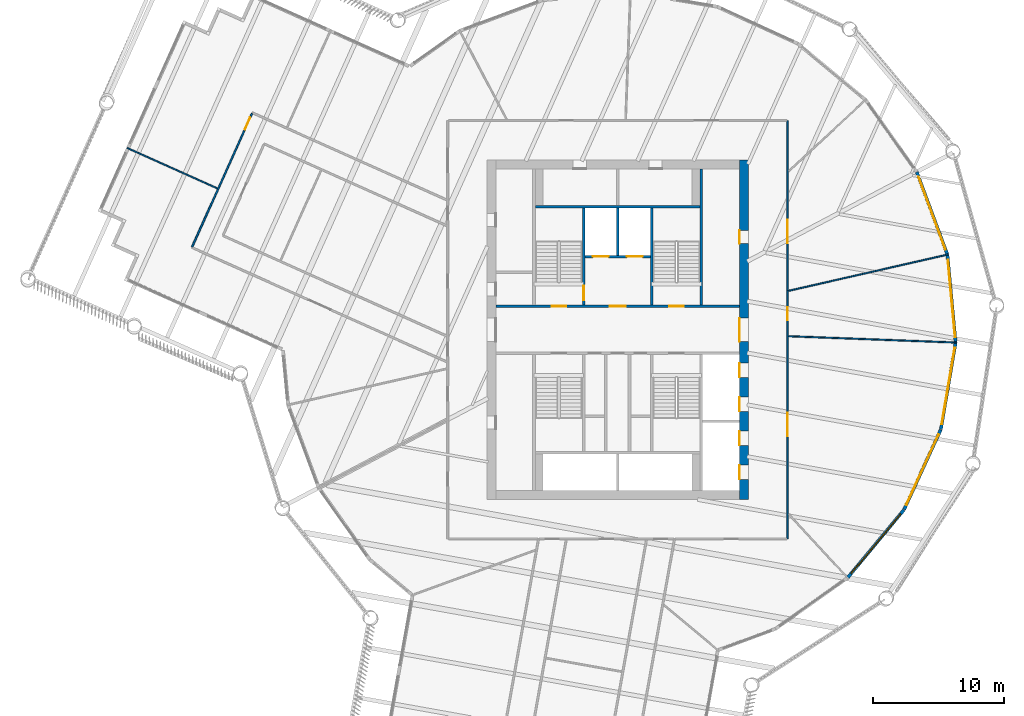
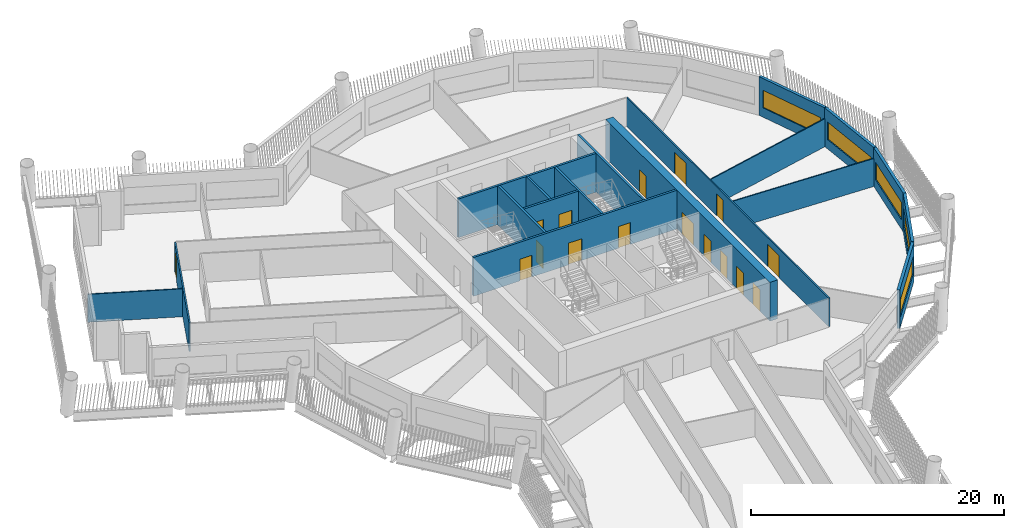
# One storey, part 5 of 14: 18 walls, 16 doors, 5 windows, 21 openings.
"""IFC4 building model written with IfcOpenShell, lengths in metres."""

from ifc_helpers import new_model, si_unit, direction, frame, frame_2d, origin, place, context, subcontext, project, spatial, rectangle, extrude, material, layer, layer_set, type_object, element, fill, save


model = new_model("IFC4")

# Units and contexts
model_context = context("Model", 3, precision=1e-05, world=origin(), true_north=direction((0.0, 1.0)))
body_context = subcontext(model_context, "Body", "Model", "MODEL_VIEW")
ifc_project = project(units=[si_unit("LENGTHUNIT", "METRE"), si_unit("AREAUNIT", "SQUARE_METRE"), si_unit("VOLUMEUNIT", "CUBIC_METRE"), si_unit("PLANEANGLEUNIT", "RADIAN"), si_unit("MASSUNIT", "GRAM", prefix="KILO")], contexts=[model_context])

# Site, building, storey
site_placement = place(None, origin())
site = spatial("IfcSite", under=ifc_project, at=site_placement, CompositionType="ELEMENT")
building_placement = place(site_placement, origin())
building = spatial("IfcBuilding", under=site, at=building_placement, Name="Tarsis Ring Headquarters", CompositionType="ELEMENT")
storey_placement = place(building_placement, frame((0.0, 0.0, 182.699951171875)))
storey = spatial("IfcBuildingStorey", under=building, at=storey_placement, Name="L42", CompositionType="ELEMENT", Elevation=182.699951171875)

# Wall, openings, doors
ifc_material_1 = material(Name="Concrete C60/75", Category="concrete")
ifc_layer_1 = layer(ifc_material_1, 0.699951171875)
ifc_layer_set_1 = layer_set([ifc_layer_1], Name="Core wall 700 C60/75")
wall_type_1 = type_object("IfcWallType", Name="Core wall 700 C60/75", PredefinedType="SHEAR", material=ifc_layer_set_1)
wall_1_placement = place(storey_placement, frame((9.64990234375, -13.0, 0.0), z_axis=(0.0, 0.0, 1.0), x_axis=(0.0, 1.0, 0.0)))
wall_1 = element("IfcWall", 1, at=wall_1_placement, inside=storey, type_object=wall_type_1, Name="Core wall OE", PredefinedType="SHEAR", context=body_context, shape_type="SweptSolid", body=[
    extrude(rectangle(XDim=26.0, YDim=0.699951171875, at=frame_2d((13.0, 0.0))), origin(), (0.0, 0.0, 1.0), 3.739990234375),
])
opening_1_placement = place(wall_1_placement, frame((1.550048828125, 0.0, 0.0)))
opening_1 = element("IfcOpeningElement", 2, at=opening_1_placement, cuts=wall_1, Name="Opening LD-MR1", PredefinedType="OPENING", context=body_context, shape_type="SweptSolid", body=[
    extrude(rectangle(XDim=1.10009765625, YDim=2.10009765625, at=frame_2d((0.550048828125, 1.050048828125))), frame((0.0, 0.35986328125, 0.0), z_axis=(0.0, -1.0, 0.0), x_axis=(1.0, 0.0, 0.0)), (0.0, 0.0, 1.0), 0.719970703125),
])
opening_2_placement = place(wall_1_placement, frame((4.14990234375, 0.0, 0.0)))
opening_2 = element("IfcOpeningElement", 3, at=opening_2_placement, cuts=wall_1, Name="Opening LD-MR2", PredefinedType="OPENING", context=body_context, shape_type="SweptSolid", body=[
    extrude(rectangle(XDim=1.10009765625, YDim=2.10009765625, at=frame_2d((0.550048828125, 1.050048828125))), frame((0.0, 0.35986328125, 0.0), z_axis=(0.0, -1.0, 0.0), x_axis=(1.0, 0.0, 0.0)), (0.0, 0.0, 1.0), 0.719970703125),
])
opening_3_placement = place(wall_1_placement, frame((6.75, 0.0, 0.0)))
opening_3 = element("IfcOpeningElement", 4, at=opening_3_placement, cuts=wall_1, Name="Opening LD-MR3", PredefinedType="OPENING", context=body_context, shape_type="SweptSolid", body=[
    extrude(rectangle(XDim=1.10009765625, YDim=2.10009765625, at=frame_2d((0.550048828125, 1.050048828125))), frame((0.0, 0.35986328125, 0.0), z_axis=(0.0, -1.0, 0.0), x_axis=(1.0, 0.0, 0.0)), (0.0, 0.0, 1.0), 0.719970703125),
])
opening_4_placement = place(wall_1_placement, frame((9.35009765625, 0.0, 0.0)))
opening_4 = element("IfcOpeningElement", 5, at=opening_4_placement, cuts=wall_1, Name="Opening LD-MR4", PredefinedType="OPENING", context=body_context, shape_type="SweptSolid", body=[
    extrude(rectangle(XDim=1.10009765625, YDim=2.10009765625, at=frame_2d((0.550048828125, 1.050048828125))), frame((0.0, 0.35986328125, 0.0), z_axis=(0.0, -1.0, 0.0), x_axis=(1.0, 0.0, 0.0)), (0.0, 0.0, 1.0), 0.719970703125),
])
opening_5_placement = place(wall_1_placement, frame((12.10009765625, 0.0, 0.0)))
opening_5 = element("IfcOpeningElement", 6, at=opening_5_placement, cuts=wall_1, Name="Opening L42-C09", PredefinedType="OPENING", context=body_context, shape_type="SweptSolid", body=[
    extrude(rectangle(XDim=1.800048828125, YDim=2.10009765625, at=frame_2d((0.89990234375, 1.050048828125))), frame((0.0, 0.35986328125, 0.0), z_axis=(0.0, -1.0, 0.0), x_axis=(1.0, 0.0, 0.0)), (0.0, 0.0, 1.0), 0.719970703125),
])
opening_6_placement = place(wall_1_placement, frame((19.60009765625, 0.0, 0.0)))
opening_6 = element("IfcOpeningElement", 7, at=opening_6_placement, cuts=wall_1, Name="Opening L42-C10", PredefinedType="OPENING", context=body_context, shape_type="SweptSolid", body=[
    extrude(rectangle(XDim=1.0, YDim=2.10009765625, at=frame_2d((0.5, 1.050048828125))), frame((0.0, 0.35986328125, 0.0), z_axis=(0.0, -1.0, 0.0), x_axis=(1.0, 0.0, 0.0)), (0.0, 0.0, 1.0), 0.719970703125),
])
ifc_material_2 = material(Name="Steel S355", Category="steel")
door_type_1 = type_object("IfcDoorType", Name="Core entry door 1800x2100", OperationType="DOUBLE_DOOR_SINGLE_SWING", PredefinedType="DOOR", material=ifc_material_2)
door_1_placement = place(opening_5_placement, origin())
door_1 = element("IfcDoor", 8, at=door_1_placement, inside=storey, type_object=door_type_1, Name="Core entry door L42", OperationType="DOUBLE_DOOR_SINGLE_SWING", OverallHeight=2.10009765625, OverallWidth=1.800048828125, PredefinedType="DOOR", context=body_context, shape_type="SweptSolid", body=[
    extrude(rectangle(XDim=1.800048828125, YDim=2.10009765625, at=frame_2d((0.89990234375, 1.050048828125))), frame((0.0, 0.35009765625, 0.0), z_axis=(0.0, -1.0, 0.0), x_axis=(1.0, 0.0, 0.0)), (0.0, 0.0, 1.0), 0.050048828125),
])
fill(opening_5, door_1)
door_type_2 = type_object("IfcDoorType", Name="Core room door 1000x2100", OperationType="SINGLE_SWING_LEFT", PredefinedType="DOOR", material=ifc_material_2)
door_2_placement = place(opening_6_placement, origin())
door_2 = element("IfcDoor", 9, at=door_2_placement, inside=storey, type_object=door_type_2, Name="Core room door L42", OperationType="SINGLE_SWING_LEFT", OverallHeight=2.10009765625, OverallWidth=1.0, PredefinedType="DOOR", context=body_context, shape_type="SweptSolid", body=[
    extrude(rectangle(XDim=1.0, YDim=2.10009765625, at=frame_2d((0.5, 1.050048828125))), frame((0.0, 0.35009765625, 0.0), z_axis=(0.0, -1.0, 0.0), x_axis=(1.0, 0.0, 0.0)), (0.0, 0.0, 1.0), 0.050048828125),
])
fill(opening_6, door_2)
door_type_3 = type_object("IfcDoorType", Name="Landing door 1100x2100", OperationType="SLIDING_TO_LEFT", PredefinedType="DOOR", material=ifc_material_2)
door_3_placement = place(opening_1_placement, origin())
door_3 = element("IfcDoor", 10, at=door_3_placement, inside=storey, type_object=door_type_3, Name="Landing door MR1 L42", OperationType="SLIDING_TO_LEFT", OverallHeight=2.10009765625, OverallWidth=1.10009765625, PredefinedType="DOOR", context=body_context, shape_type="SweptSolid", body=[
    extrude(rectangle(XDim=1.10009765625, YDim=2.10009765625, at=frame_2d((0.550048828125, 1.050048828125))), frame((0.0, 0.35009765625, 0.0), z_axis=(0.0, -1.0, 0.0), x_axis=(1.0, 0.0, 0.0)), (0.0, 0.0, 1.0), 0.050048828125),
])
fill(opening_1, door_3)
door_4_placement = place(opening_2_placement, origin())
door_4 = element("IfcDoor", 11, at=door_4_placement, inside=storey, type_object=door_type_3, Name="Landing door MR2 L42", OperationType="SLIDING_TO_LEFT", OverallHeight=2.10009765625, OverallWidth=1.10009765625, PredefinedType="DOOR", context=body_context, shape_type="SweptSolid", body=[
    extrude(rectangle(XDim=1.10009765625, YDim=2.10009765625, at=frame_2d((0.550048828125, 1.050048828125))), frame((0.0, 0.35009765625, 0.0), z_axis=(0.0, -1.0, 0.0), x_axis=(1.0, 0.0, 0.0)), (0.0, 0.0, 1.0), 0.050048828125),
])
fill(opening_2, door_4)
door_5_placement = place(opening_3_placement, origin())
door_5 = element("IfcDoor", 12, at=door_5_placement, inside=storey, type_object=door_type_3, Name="Landing door MR3 L42", OperationType="SLIDING_TO_LEFT", OverallHeight=2.10009765625, OverallWidth=1.10009765625, PredefinedType="DOOR", context=body_context, shape_type="SweptSolid", body=[
    extrude(rectangle(XDim=1.10009765625, YDim=2.10009765625, at=frame_2d((0.550048828125, 1.050048828125))), frame((0.0, 0.35009765625, 0.0), z_axis=(0.0, -1.0, 0.0), x_axis=(1.0, 0.0, 0.0)), (0.0, 0.0, 1.0), 0.050048828125),
])
fill(opening_3, door_5)
door_6_placement = place(opening_4_placement, origin())
door_6 = element("IfcDoor", 13, at=door_6_placement, inside=storey, type_object=door_type_3, Name="Landing door MR4 L42", OperationType="SLIDING_TO_LEFT", OverallHeight=2.10009765625, OverallWidth=1.10009765625, PredefinedType="DOOR", context=body_context, shape_type="SweptSolid", body=[
    extrude(rectangle(XDim=1.10009765625, YDim=2.10009765625, at=frame_2d((0.550048828125, 1.050048828125))), frame((0.0, 0.35009765625, 0.0), z_axis=(0.0, -1.0, 0.0), x_axis=(1.0, 0.0, 0.0)), (0.0, 0.0, 1.0), 0.050048828125),
])
fill(opening_4, door_6)

# Walls
ifc_material_3 = material(Name="Gypsum board on steel studs", Category="steel")
ifc_layer_2 = layer(ifc_material_3, 0.10009765625)
ifc_layer_set_2 = layer_set([ifc_layer_2], Name="FL partition 100 unrated")
wall_type_2 = type_object("IfcWallType", Name="FL partition 100 unrated", PredefinedType="PARTITIONING", material=ifc_layer_set_2)
wall_2_placement = place(storey_placement, frame((13.070068359375, -0.492919921875, 0.0), z_axis=(0.0, 0.0, 1.0), x_axis=(0.999289207416, -0.037697213987, 0.0)))
element("IfcWall", 14, at=wall_2_placement, inside=storey, type_object=wall_type_2, Name="Partition PW3", PredefinedType="PARTITIONING", context=body_context, shape_type="SweptSolid", body=[
    extrude(rectangle(XDim=12.868408203125, YDim=0.10009765625, at=frame_2d((6.43408203125, 0.0))), origin(), (0.0, 0.0, 1.0), 2.699951171875),
])
wall_3_placement = place(storey_placement, frame((13.068115234375, 2.978515625, 0.0), z_axis=(0.0, 0.0, 1.0), x_axis=(0.974993487323, 0.222233435102, 0.0)))
element("IfcWall", 15, at=wall_3_placement, inside=storey, type_object=wall_type_2, Name="Partition PW3", PredefinedType="PARTITIONING", context=body_context, shape_type="SweptSolid", body=[
    extrude(rectangle(XDim=12.544677734375, YDim=0.10009765625, at=frame_2d((6.2724609375, 0.0))), origin(), (0.0, 0.0, 1.0), 2.699951171875),
])
wall_4_placement = place(storey_placement, frame((-37.54345703125, 13.914794921875, 0.0), z_axis=(0.0, 0.0, 1.0), x_axis=(0.912410215897, -0.409276920834, 0.0)))
element("IfcWall", 16, at=wall_4_placement, inside=storey, type_object=wall_type_2, Name="Partition PW3", PredefinedType="PARTITIONING", context=body_context, shape_type="SweptSolid", body=[
    extrude(rectangle(XDim=7.579833984375, YDim=0.10009765625, at=frame_2d((3.7900390625, 0.0))), origin(), (0.0, 0.0, 1.0), 2.699951171875),
])

# Wall, openings, doors
ifc_layer_3 = layer(ifc_material_3, 0.125)
ifc_layer_set_3 = layer_set([ifc_layer_3], Name="FL partition 125 EI 60 H2770")
wall_type_3 = type_object("IfcWallType", Name="FL partition 125 EI 60 H2770", PredefinedType="PARTITIONING", material=ifc_layer_set_3)
wall_5_placement = place(storey_placement, frame((13.0, -16.0, 0.0), z_axis=(0.0, 0.0, 1.0), x_axis=(0.0, 1.0, 0.0)))
wall_5 = element("IfcWall", 17, at=wall_5_placement, inside=storey, type_object=wall_type_3, Name="Partition PW1", PredefinedType="PARTITIONING", context=body_context, shape_type="SweptSolid", body=[
    extrude(rectangle(XDim=32.0, YDim=0.125, at=frame_2d((16.0, 0.0))), origin(), (0.0, 0.0, 1.0), 2.77001953125),
])
opening_7_placement = place(wall_5_placement, frame((22.60888671875, 0.0, 0.0)))
opening_7 = element("IfcOpeningElement", 18, at=opening_7_placement, cuts=wall_5, Name="Opening D42.06", PredefinedType="OPENING", context=body_context, shape_type="SweptSolid", body=[
    extrude(rectangle(XDim=1.800048828125, YDim=2.10009765625, at=frame_2d((0.89990234375, 1.050048828125))), frame((0.0, 0.072509765625, 0.0), z_axis=(0.0, -1.0, 0.0), x_axis=(1.0, 0.0, 0.0)), (0.0, 0.0, 1.0), 0.14501953125),
])
opening_8_placement = place(wall_5_placement, frame((16.736328125, 0.0, 0.0)))
opening_8 = element("IfcOpeningElement", 19, at=opening_8_placement, cuts=wall_5, Name="Opening D42.07", PredefinedType="OPENING", context=body_context, shape_type="SweptSolid", body=[
    extrude(rectangle(XDim=1.0, YDim=2.10009765625, at=frame_2d((0.5, 1.050048828125))), frame((0.0, 0.072509765625, 0.0), z_axis=(0.0, -1.0, 0.0), x_axis=(1.0, 0.0, 0.0)), (0.0, 0.0, 1.0), 0.14501953125),
])
opening_9_placement = place(wall_5_placement, frame((7.84521484375, 0.0, 0.0)))
opening_9 = element("IfcOpeningElement", 20, at=opening_9_placement, cuts=wall_5, Name="Opening D42.08", PredefinedType="OPENING", context=body_context, shape_type="SweptSolid", body=[
    extrude(rectangle(XDim=1.800048828125, YDim=2.10009765625, at=frame_2d((0.89990234375, 1.050048828125))), frame((0.0, 0.072509765625, 0.0), z_axis=(0.0, -1.0, 0.0), x_axis=(1.0, 0.0, 0.0)), (0.0, 0.0, 1.0), 0.14501953125),
])
ifc_material_4 = material(Name="Fire-rated timber door leaf in steel frame", Category="steel")
door_type_4 = type_object("IfcDoorType", Name="FL door FD60-1000", OperationType="NOTDEFINED", PredefinedType="DOOR", material=ifc_material_4)
door_7_placement = place(opening_8_placement, origin())
door_7 = element("IfcDoor", 21, at=door_7_placement, inside=storey, type_object=door_type_4, Name="Door D42.07", OperationType="SINGLE_SWING_LEFT", OverallHeight=2.10009765625, OverallWidth=1.0, PredefinedType="DOOR", context=body_context, shape_type="SweptSolid", body=[
    extrude(rectangle(XDim=1.0, YDim=2.10009765625, at=frame_2d((0.5, 1.050048828125))), frame((0.0, 0.02490234375, 0.0), z_axis=(0.0, -1.0, 0.0), x_axis=(1.0, 0.0, 0.0)), (0.0, 0.0, 1.0), 0.050048828125),
])
fill(opening_8, door_7)
door_type_5 = type_object("IfcDoorType", Name="FL door FD60-1800", OperationType="DOUBLE_DOOR_SINGLE_SWING", PredefinedType="DOOR", material=ifc_material_4)
door_8_placement = place(opening_7_placement, origin())
door_8 = element("IfcDoor", 22, at=door_8_placement, inside=storey, type_object=door_type_5, Name="Door D42.06", OperationType="DOUBLE_DOOR_SINGLE_SWING", OverallHeight=2.10009765625, OverallWidth=1.800048828125, PredefinedType="DOOR", context=body_context, shape_type="SweptSolid", body=[
    extrude(rectangle(XDim=1.800048828125, YDim=2.10009765625, at=frame_2d((0.89990234375, 1.050048828125))), frame((0.0, 0.02490234375, 0.0), z_axis=(0.0, -1.0, 0.0), x_axis=(1.0, 0.0, 0.0)), (0.0, 0.0, 1.0), 0.050048828125),
])
fill(opening_7, door_8)
door_9_placement = place(opening_9_placement, origin())
door_9 = element("IfcDoor", 23, at=door_9_placement, inside=storey, type_object=door_type_5, Name="Door D42.08", OperationType="DOUBLE_DOOR_SINGLE_SWING", OverallHeight=2.10009765625, OverallWidth=1.800048828125, PredefinedType="DOOR", context=body_context, shape_type="SweptSolid", body=[
    extrude(rectangle(XDim=1.800048828125, YDim=2.10009765625, at=frame_2d((0.89990234375, 1.050048828125))), frame((0.0, 0.02490234375, 0.0), z_axis=(0.0, -1.0, 0.0), x_axis=(1.0, 0.0, 0.0)), (0.0, 0.0, 1.0), 0.050048828125),
])
fill(opening_9, door_9)

# Wall, opening, door
wall_6_placement = place(storey_placement, frame((-32.552490234375, 6.349609375, 0.0), z_axis=(0.0, 0.0, 1.0), x_axis=(0.409276601243, 0.912410359254, 0.0)))
wall_6 = element("IfcWall", 24, at=wall_6_placement, inside=storey, type_object=wall_type_3, Name="Partition PW1", PredefinedType="PARTITIONING", context=body_context, shape_type="SweptSolid", body=[
    extrude(rectangle(XDim=11.179931640625, YDim=0.125, at=frame_2d((5.58984375, 0.0))), origin(), (0.0, 0.0, 1.0), 2.77001953125),
])
opening_10_placement = place(wall_6_placement, frame((9.840087890625, 0.0, 0.0)))
opening_10 = element("IfcOpeningElement", 25, at=opening_10_placement, cuts=wall_6, Name="Opening D42.02", PredefinedType="OPENING", context=body_context, shape_type="SweptSolid", body=[
    extrude(rectangle(XDim=1.0, YDim=2.10009765625, at=frame_2d((0.5, 1.050048828125))), frame((0.0, 0.072509765625, 0.0), z_axis=(0.0, -1.0, 0.0), x_axis=(1.0, 0.0, 0.0)), (0.0, 0.0, 1.0), 0.14501953125),
])
door_10_placement = place(opening_10_placement, origin())
door_10 = element("IfcDoor", 26, at=door_10_placement, inside=storey, type_object=door_type_4, Name="Door D42.02", OperationType="SINGLE_SWING_RIGHT", OverallHeight=2.10009765625, OverallWidth=1.0, PredefinedType="DOOR", context=body_context, shape_type="SweptSolid", body=[
    extrude(rectangle(XDim=1.0, YDim=2.10009765625, at=frame_2d((0.5, 1.050048828125))), frame((0.0, 0.02490234375, 0.0), z_axis=(0.0, -1.0, 0.0), x_axis=(1.0, 0.0, 0.0)), (0.0, 0.0, 1.0), 0.050048828125),
])
fill(opening_10, door_10)

# Wall, opening, window
ifc_material_5 = material(Name="Terracotta clad insulated panel wall", Category="masonry")
ifc_layer_4 = layer(ifc_material_5, 0.25)
ifc_layer_set_4 = layer_set([ifc_layer_4], Name="Facade wall terracotta panel 250")
wall_type_4 = type_object("IfcWallType", Name="Facade wall terracotta panel 250", PredefinedType="STANDARD", material=ifc_layer_set_4)
wall_7_placement = place(storey_placement, frame((17.603515625, -18.95947265625, 0.0), z_axis=(0.0, 0.0, 1.0), x_axis=(0.638242430019, 0.769835437301, 0.0)))
wall_7 = element("IfcWall", 27, at=wall_7_placement, inside=storey, type_object=wall_type_4, Name="External wall L42-19", PredefinedType="STANDARD", context=body_context, shape_type="SweptSolid", body=[
    extrude(rectangle(XDim=6.7216796875, YDim=0.25, at=frame_2d((3.36083984375, 0.0))), origin(), (0.0, 0.0, 1.0), 3.739990234375),
])
opening_11_placement = place(wall_7_placement, frame((0.3857421875, 0.0, 0.89990234375)))
opening_11 = element("IfcOpeningElement", 28, at=opening_11_placement, cuts=wall_7, Name="Opening WN07", PredefinedType="OPENING", context=body_context, shape_type="SweptSolid", body=[
    extrude(rectangle(XDim=5.949951171875, YDim=1.699951171875, at=frame_2d((2.97509765625, 0.85009765625))), frame((0.0, 0.135009765625, 0.0), z_axis=(0.0, -1.0, 0.0), x_axis=(1.0, 0.0, 0.0)), (0.0, 0.0, 1.0), 0.27001953125),
])
ifc_material_6 = material(Name="Aluminium framed double glazing", Category="aluminium")
window_type = type_object("IfcWindowType", Name="Facade window 5950 x 1700", PartitioningType="SINGLE_PANEL", PredefinedType="WINDOW", material=ifc_material_6)
window_1_placement = place(opening_11_placement, origin())
window_1 = element("IfcWindow", 29, at=window_1_placement, inside=storey, type_object=window_type, Name="Window L42-19.1", OverallHeight=1.699951171875, OverallWidth=5.949951171875, PartitioningType="SINGLE_PANEL", PredefinedType="WINDOW", context=body_context, shape_type="SweptSolid", body=[
    extrude(rectangle(XDim=5.949951171875, YDim=1.699951171875, at=frame_2d((2.97509765625, 0.85009765625))), frame((0.0, 0.030029296875, 0.0), z_axis=(0.0, -1.0, 0.0), x_axis=(1.0, 0.0, 0.0)), (0.0, 0.0, 1.0), 0.06005859375),
])
fill(opening_11, window_1)

wall_8_placement = place(storey_placement, frame((21.910888671875, -13.75732421875, 0.0), z_axis=(0.0, 0.0, 1.0), x_axis=(0.417239957903, 0.908796356468, 0.0)))
wall_8 = element("IfcWall", 30, at=wall_8_placement, inside=storey, type_object=wall_type_4, Name="External wall L42-20", PredefinedType="STANDARD", context=body_context, shape_type="SweptSolid", body=[
    extrude(rectangle(XDim=6.721435546875, YDim=0.25, at=frame_2d((3.36083984375, 0.0))), origin(), (0.0, 0.0, 1.0), 3.739990234375),
])
opening_12_placement = place(wall_8_placement, frame((0.3857421875, 0.0, 0.89990234375)))
opening_12 = element("IfcOpeningElement", 31, at=opening_12_placement, cuts=wall_8, Name="Opening WN07", PredefinedType="OPENING", context=body_context, shape_type="SweptSolid", body=[
    extrude(rectangle(XDim=5.949951171875, YDim=1.699951171875, at=frame_2d((2.97509765625, 0.85009765625))), frame((0.0, 0.135009765625, 0.0), z_axis=(0.0, -1.0, 0.0), x_axis=(1.0, 0.0, 0.0)), (0.0, 0.0, 1.0), 0.27001953125),
])
window_2_placement = place(opening_12_placement, origin())
window_2 = element("IfcWindow", 32, at=window_2_placement, inside=storey, type_object=window_type, Name="Window L42-20.1", OverallHeight=1.699951171875, OverallWidth=5.949951171875, PartitioningType="SINGLE_PANEL", PredefinedType="WINDOW", context=body_context, shape_type="SweptSolid", body=[
    extrude(rectangle(XDim=5.949951171875, YDim=1.699951171875, at=frame_2d((2.97509765625, 0.85009765625))), frame((0.0, 0.030029296875, 0.0), z_axis=(0.0, -1.0, 0.0), x_axis=(1.0, 0.0, 0.0)), (0.0, 0.0, 1.0), 0.06005859375),
])
fill(opening_12, window_2)

wall_9_placement = place(storey_placement, frame((24.724853515625, -7.61767578125, 0.0), z_axis=(0.0, 0.0, 1.0), x_axis=(0.167808360666, 0.985819635679, 0.0)))
wall_9 = element("IfcWall", 33, at=wall_9_placement, inside=storey, type_object=wall_type_4, Name="External wall L42-21", PredefinedType="STANDARD", context=body_context, shape_type="SweptSolid", body=[
    extrude(rectangle(XDim=6.721435546875, YDim=0.25, at=frame_2d((3.36083984375, 0.0))), origin(), (0.0, 0.0, 1.0), 3.739990234375),
])
opening_13_placement = place(wall_9_placement, frame((0.3857421875, 0.0, 0.89990234375)))
opening_13 = element("IfcOpeningElement", 34, at=opening_13_placement, cuts=wall_9, Name="Opening WN07", PredefinedType="OPENING", context=body_context, shape_type="SweptSolid", body=[
    extrude(rectangle(XDim=5.949951171875, YDim=1.699951171875, at=frame_2d((2.97509765625, 0.85009765625))), frame((0.0, 0.135009765625, 0.0), z_axis=(0.0, -1.0, 0.0), x_axis=(1.0, 0.0, 0.0)), (0.0, 0.0, 1.0), 0.27001953125),
])
window_3_placement = place(opening_13_placement, origin())
window_3 = element("IfcWindow", 35, at=window_3_placement, inside=storey, type_object=window_type, Name="Window L42-21.1", OverallHeight=1.699951171875, OverallWidth=5.949951171875, PartitioningType="SINGLE_PANEL", PredefinedType="WINDOW", context=body_context, shape_type="SweptSolid", body=[
    extrude(rectangle(XDim=5.949951171875, YDim=1.699951171875, at=frame_2d((2.97509765625, 0.85009765625))), frame((0.0, 0.030029296875, 0.0), z_axis=(0.0, -1.0, 0.0), x_axis=(1.0, 0.0, 0.0)), (0.0, 0.0, 1.0), 0.06005859375),
])
fill(opening_13, window_3)

wall_10_placement = place(storey_placement, frame((25.85400390625, -0.958740234375, 0.0), z_axis=(0.0, 0.0, 1.0), x_axis=(-0.093057160642, 0.995660767959, 0.0)))
wall_10 = element("IfcWall", 36, at=wall_10_placement, inside=storey, type_object=wall_type_4, Name="External wall L42-22", PredefinedType="STANDARD", context=body_context, shape_type="SweptSolid", body=[
    extrude(rectangle(XDim=6.721435546875, YDim=0.25, at=frame_2d((3.36083984375, 0.0))), origin(), (0.0, 0.0, 1.0), 3.739990234375),
])
opening_14_placement = place(wall_10_placement, frame((0.3857421875, 0.0, 0.89990234375)))
opening_14 = element("IfcOpeningElement", 37, at=opening_14_placement, cuts=wall_10, Name="Opening WN07", PredefinedType="OPENING", context=body_context, shape_type="SweptSolid", body=[
    extrude(rectangle(XDim=5.949951171875, YDim=1.699951171875, at=frame_2d((2.97509765625, 0.85009765625))), frame((0.0, 0.135009765625, 0.0), z_axis=(0.0, -1.0, 0.0), x_axis=(1.0, 0.0, 0.0)), (0.0, 0.0, 1.0), 0.27001953125),
])
window_4_placement = place(opening_14_placement, origin())
window_4 = element("IfcWindow", 38, at=window_4_placement, inside=storey, type_object=window_type, Name="Window L42-22.1", OverallHeight=1.699951171875, OverallWidth=5.949951171875, PartitioningType="SINGLE_PANEL", PredefinedType="WINDOW", context=body_context, shape_type="SweptSolid", body=[
    extrude(rectangle(XDim=5.949951171875, YDim=1.699951171875, at=frame_2d((2.97509765625, 0.85009765625))), frame((0.0, 0.030029296875, 0.0), z_axis=(0.0, -1.0, 0.0), x_axis=(1.0, 0.0, 0.0)), (0.0, 0.0, 1.0), 0.06005859375),
])
fill(opening_14, window_4)

wall_11_placement = place(storey_placement, frame((25.22119140625, 5.765380859375, 0.0), z_axis=(0.0, 0.0, 1.0), x_axis=(-0.347598253457, 0.937643564577, 0.0)))
wall_11 = element("IfcWall", 39, at=wall_11_placement, inside=storey, type_object=wall_type_4, Name="External wall L42-23", PredefinedType="STANDARD", context=body_context, shape_type="SweptSolid", body=[
    extrude(rectangle(XDim=6.7216796875, YDim=0.25, at=frame_2d((3.36083984375, 0.0))), origin(), (0.0, 0.0, 1.0), 3.739990234375),
])
opening_15_placement = place(wall_11_placement, frame((0.3857421875, 0.0, 0.89990234375)))
opening_15 = element("IfcOpeningElement", 40, at=opening_15_placement, cuts=wall_11, Name="Opening WN07", PredefinedType="OPENING", context=body_context, shape_type="SweptSolid", body=[
    extrude(rectangle(XDim=5.949951171875, YDim=1.699951171875, at=frame_2d((2.97509765625, 0.85009765625))), frame((0.0, 0.135009765625, 0.0), z_axis=(0.0, -1.0, 0.0), x_axis=(1.0, 0.0, 0.0)), (0.0, 0.0, 1.0), 0.27001953125),
])
window_5_placement = place(opening_15_placement, origin())
window_5 = element("IfcWindow", 41, at=window_5_placement, inside=storey, type_object=window_type, Name="Window L42-23.1", OverallHeight=1.699951171875, OverallWidth=5.949951171875, PartitioningType="SINGLE_PANEL", PredefinedType="WINDOW", context=body_context, shape_type="SweptSolid", body=[
    extrude(rectangle(XDim=5.949951171875, YDim=1.699951171875, at=frame_2d((2.97509765625, 0.85009765625))), frame((0.0, 0.030029296875, 0.0), z_axis=(0.0, -1.0, 0.0), x_axis=(1.0, 0.0, 0.0)), (0.0, 0.0, 1.0), 0.06005859375),
])
fill(opening_15, window_5)

# Wall, openings, doors
ifc_material_7 = material(Name="Concrete C32/40", Category="concrete")
ifc_layer_5 = layer(ifc_material_7, 0.199951171875)
ifc_layer_set_5 = layer_set([ifc_layer_5], Name="Shaft wall 200 C32/40")
wall_type_5 = type_object("IfcWallType", Name="Shaft wall 200 C32/40", PredefinedType="SOLIDWALL", material=ifc_layer_set_5)
wall_12_placement = place(storey_placement, frame((-9.300048828125, 1.800048828125, 0.0), z_axis=(0.0, 0.0, 1.0), x_axis=(1.0, 0.0, 0.0)))
wall_12 = element("IfcWall", 42, at=wall_12_placement, inside=storey, type_object=wall_type_5, Name="Core shaft wall CN", PredefinedType="SOLIDWALL", context=body_context, shape_type="SweptSolid", body=[
    extrude(rectangle(XDim=18.60009765625, YDim=0.199951171875, at=frame_2d((9.300048828125, 0.0))), origin(), (0.0, 0.0, 1.0), 3.739990234375),
])
opening_16_placement = place(wall_12_placement, frame((4.25, 0.0, 0.0)))
opening_16 = element("IfcOpeningElement", 43, at=opening_16_placement, cuts=wall_12, Name="Opening L42-C13", PredefinedType="OPENING", context=body_context, shape_type="SweptSolid", body=[
    extrude(rectangle(XDim=1.10009765625, YDim=2.10009765625, at=frame_2d((0.550048828125, 1.050048828125))), frame((0.0, 0.10986328125, 0.0), z_axis=(0.0, -1.0, 0.0), x_axis=(1.0, 0.0, 0.0)), (0.0, 0.0, 1.0), 0.219970703125),
])
opening_17_placement = place(wall_12_placement, frame((8.699951171875, 0.0, 0.0)))
opening_17 = element("IfcOpeningElement", 44, at=opening_17_placement, cuts=wall_12, Name="Opening L42-C14", PredefinedType="OPENING", context=body_context, shape_type="SweptSolid", body=[
    extrude(rectangle(XDim=1.199951171875, YDim=2.10009765625, at=frame_2d((0.60009765625, 1.050048828125))), frame((0.0, 0.10986328125, 0.0), z_axis=(0.0, -1.0, 0.0), x_axis=(1.0, 0.0, 0.0)), (0.0, 0.0, 1.0), 0.219970703125),
])
opening_18_placement = place(wall_12_placement, frame((13.25, 0.0, 0.0)))
opening_18 = element("IfcOpeningElement", 45, at=opening_18_placement, cuts=wall_12, Name="Opening L42-C15", PredefinedType="OPENING", context=body_context, shape_type="SweptSolid", body=[
    extrude(rectangle(XDim=1.10009765625, YDim=2.10009765625, at=frame_2d((0.550048828125, 1.050048828125))), frame((0.0, 0.10986328125, 0.0), z_axis=(0.0, -1.0, 0.0), x_axis=(1.0, 0.0, 0.0)), (0.0, 0.0, 1.0), 0.219970703125),
])
door_type_6 = type_object("IfcDoorType", Name="Firefighting lobby door 1200x2100", OperationType="DOUBLE_DOOR_SINGLE_SWING", PredefinedType="DOOR", material=ifc_material_2)
door_11_placement = place(opening_17_placement, origin())
door_11 = element("IfcDoor", 46, at=door_11_placement, inside=storey, type_object=door_type_6, Name="Firefighting lobby door L42", OperationType="DOUBLE_DOOR_SINGLE_SWING", OverallHeight=2.10009765625, OverallWidth=1.199951171875, PredefinedType="DOOR", context=body_context, shape_type="SweptSolid", body=[
    extrude(rectangle(XDim=1.199951171875, YDim=2.10009765625, at=frame_2d((0.60009765625, 1.050048828125))), frame((0.0, 0.02490234375, 0.0), z_axis=(0.0, -1.0, 0.0), x_axis=(1.0, 0.0, 0.0)), (0.0, 0.0, 1.0), 0.050048828125),
])
fill(opening_17, door_11)
door_type_7 = type_object("IfcDoorType", Name="Stair door 1100x2100", OperationType="SINGLE_SWING_LEFT", PredefinedType="DOOR", material=ifc_material_2)
door_12_placement = place(opening_16_placement, origin())
door_12 = element("IfcDoor", 47, at=door_12_placement, inside=storey, type_object=door_type_7, Name="Stair door L42", OperationType="SINGLE_SWING_LEFT", OverallHeight=2.10009765625, OverallWidth=1.10009765625, PredefinedType="DOOR", context=body_context, shape_type="SweptSolid", body=[
    extrude(rectangle(XDim=1.10009765625, YDim=2.10009765625, at=frame_2d((0.550048828125, 1.050048828125))), frame((0.0, 0.02490234375, 0.0), z_axis=(0.0, -1.0, 0.0), x_axis=(1.0, 0.0, 0.0)), (0.0, 0.0, 1.0), 0.050048828125),
])
fill(opening_16, door_12)
door_13_placement = place(opening_18_placement, origin())
door_13 = element("IfcDoor", 48, at=door_13_placement, inside=storey, type_object=door_type_7, Name="Stair door L42", OperationType="SINGLE_SWING_LEFT", OverallHeight=2.10009765625, OverallWidth=1.10009765625, PredefinedType="DOOR", context=body_context, shape_type="SweptSolid", body=[
    extrude(rectangle(XDim=1.10009765625, YDim=2.10009765625, at=frame_2d((0.550048828125, 1.050048828125))), frame((0.0, 0.02490234375, 0.0), z_axis=(0.0, -1.0, 0.0), x_axis=(1.0, 0.0, 0.0)), (0.0, 0.0, 1.0), 0.050048828125),
])
fill(opening_18, door_13)

# Walls
wall_13_placement = place(storey_placement, frame((6.39990234375, 1.89990234375, 0.0), z_axis=(0.0, 0.0, 1.0), x_axis=(0.0, 1.0, 0.0)))
element("IfcWall", 49, at=wall_13_placement, inside=storey, type_object=wall_type_5, Name="Core shaft wall EB2", PredefinedType="SOLIDWALL", context=body_context, shape_type="SweptSolid", body=[
    extrude(rectangle(XDim=10.400146484375, YDim=0.199951171875, at=frame_2d((5.2001953125, 0.0))), origin(), (0.0, 0.0, 1.0), 3.739990234375),
])
wall_14_placement = place(storey_placement, frame((-6.300048828125, 9.39990234375, 0.0), z_axis=(0.0, 0.0, 1.0), x_axis=(1.0, 0.0, 0.0)))
element("IfcWall", 50, at=wall_14_placement, inside=storey, type_object=wall_type_5, Name="Core shaft wall NB", PredefinedType="SOLIDWALL", context=body_context, shape_type="SweptSolid", body=[
    extrude(rectangle(XDim=12.60009765625, YDim=0.199951171875, at=frame_2d((6.300048828125, 0.0))), origin(), (0.0, 0.0, 1.0), 3.739990234375),
])

# Wall, opening, door
wall_15_placement = place(storey_placement, frame((-2.60009765625, 1.89990234375, 0.0), z_axis=(0.0, 0.0, 1.0), x_axis=(0.0, 1.0, 0.0)))
wall_15 = element("IfcWall", 51, at=wall_15_placement, inside=storey, type_object=wall_type_5, Name="Core shaft wall SW1", PredefinedType="SOLIDWALL", context=body_context, shape_type="SweptSolid", body=[
    extrude(rectangle(XDim=7.400146484375, YDim=0.199951171875, at=frame_2d((3.7001953125, 0.0))), origin(), (0.0, 0.0, 1.0), 3.739990234375),
])
opening_19_placement = place(wall_15_placement, frame((0.35009765625, 0.0, 0.0)))
opening_19 = element("IfcOpeningElement", 52, at=opening_19_placement, cuts=wall_15, Name="Opening L42-C21", PredefinedType="OPENING", context=body_context, shape_type="SweptSolid", body=[
    extrude(rectangle(XDim=1.10009765625, YDim=2.10009765625, at=frame_2d((0.550048828125, 1.050048828125))), frame((0.0, 0.10986328125, 0.0), z_axis=(0.0, -1.0, 0.0), x_axis=(1.0, 0.0, 0.0)), (0.0, 0.0, 1.0), 0.219970703125),
])
door_14_placement = place(opening_19_placement, origin())
door_14 = element("IfcDoor", 53, at=door_14_placement, inside=storey, type_object=door_type_7, Name="Stair door L42", OperationType="SINGLE_SWING_LEFT", OverallHeight=2.10009765625, OverallWidth=1.10009765625, PredefinedType="DOOR", context=body_context, shape_type="SweptSolid", body=[
    extrude(rectangle(XDim=1.10009765625, YDim=2.10009765625, at=frame_2d((0.550048828125, 1.050048828125))), frame((0.0, 0.02490234375, 0.0), z_axis=(0.0, -1.0, 0.0), x_axis=(1.0, 0.0, 0.0)), (0.0, 0.0, 1.0), 0.050048828125),
])
fill(opening_19, door_14)

# Wall
wall_16_placement = place(storey_placement, frame((2.60009765625, 1.89990234375, 0.0), z_axis=(0.0, 0.0, 1.0), x_axis=(0.0, 1.0, 0.0)))
element("IfcWall", 54, at=wall_16_placement, inside=storey, type_object=wall_type_5, Name="Core shaft wall SW2", PredefinedType="SOLIDWALL", context=body_context, shape_type="SweptSolid", body=[
    extrude(rectangle(XDim=7.400146484375, YDim=0.199951171875, at=frame_2d((3.7001953125, 0.0))), origin(), (0.0, 0.0, 1.0), 3.739990234375),
])

# Wall, openings, doors
wall_17_placement = place(storey_placement, frame((-2.5, 5.60009765625, 0.0), z_axis=(0.0, 0.0, 1.0), x_axis=(1.0, 0.0, 0.0)))
wall_17 = element("IfcWall", 55, at=wall_17_placement, inside=storey, type_object=wall_type_5, Name="Core shaft wall FFN", PredefinedType="SOLIDWALL", context=body_context, shape_type="SweptSolid", body=[
    extrude(rectangle(XDim=5.0, YDim=0.199951171875, at=frame_2d((2.5, 0.0))), origin(), (0.0, 0.0, 1.0), 3.739990234375),
])
opening_20_placement = place(wall_17_placement, frame((0.60009765625, 0.0, 0.0)))
opening_20 = element("IfcOpeningElement", 56, at=opening_20_placement, cuts=wall_17, Name="Opening LDF-1", PredefinedType="OPENING", context=body_context, shape_type="SweptSolid", body=[
    extrude(rectangle(XDim=1.199951171875, YDim=2.10009765625, at=frame_2d((0.60009765625, 1.050048828125))), frame((0.0, 0.10986328125, 0.0), z_axis=(0.0, -1.0, 0.0), x_axis=(1.0, 0.0, 0.0)), (0.0, 0.0, 1.0), 0.219970703125),
])
opening_21_placement = place(wall_17_placement, frame((3.199951171875, 0.0, 0.0)))
opening_21 = element("IfcOpeningElement", 57, at=opening_21_placement, cuts=wall_17, Name="Opening LDF-2", PredefinedType="OPENING", context=body_context, shape_type="SweptSolid", body=[
    extrude(rectangle(XDim=1.199951171875, YDim=2.10009765625, at=frame_2d((0.60009765625, 1.050048828125))), frame((0.0, 0.10986328125, 0.0), z_axis=(0.0, -1.0, 0.0), x_axis=(1.0, 0.0, 0.0)), (0.0, 0.0, 1.0), 0.219970703125),
])
door_type_8 = type_object("IfcDoorType", Name="Firefighting landing door 1200x2100", OperationType="SLIDING_TO_LEFT", PredefinedType="DOOR", material=ifc_material_2)
door_15_placement = place(opening_20_placement, origin())
door_15 = element("IfcDoor", 58, at=door_15_placement, inside=storey, type_object=door_type_8, Name="Landing door FF1 L42", OperationType="SLIDING_TO_LEFT", OverallHeight=2.10009765625, OverallWidth=1.199951171875, PredefinedType="DOOR", context=body_context, shape_type="SweptSolid", body=[
    extrude(rectangle(XDim=1.199951171875, YDim=2.10009765625, at=frame_2d((0.60009765625, 1.050048828125))), frame((0.0, 0.02490234375, 0.0), z_axis=(0.0, -1.0, 0.0), x_axis=(1.0, 0.0, 0.0)), (0.0, 0.0, 1.0), 0.050048828125),
])
fill(opening_20, door_15)
door_16_placement = place(opening_21_placement, origin())
door_16 = element("IfcDoor", 59, at=door_16_placement, inside=storey, type_object=door_type_8, Name="Landing door FF2 L42", OperationType="SLIDING_TO_LEFT", OverallHeight=2.10009765625, OverallWidth=1.199951171875, PredefinedType="DOOR", context=body_context, shape_type="SweptSolid", body=[
    extrude(rectangle(XDim=1.199951171875, YDim=2.10009765625, at=frame_2d((0.60009765625, 1.050048828125))), frame((0.0, 0.02490234375, 0.0), z_axis=(0.0, -1.0, 0.0), x_axis=(1.0, 0.0, 0.0)), (0.0, 0.0, 1.0), 0.050048828125),
])
fill(opening_21, door_16)

# Wall
wall_18_placement = place(storey_placement, frame((0.0, 5.699951171875, 0.0), z_axis=(0.0, 0.0, 1.0), x_axis=(0.0, 1.0, 0.0)))
element("IfcWall", 60, at=wall_18_placement, inside=storey, type_object=wall_type_5, Name="Core shaft wall FFD", PredefinedType="SOLIDWALL", context=body_context, shape_type="SweptSolid", body=[
    extrude(rectangle(XDim=3.60009765625, YDim=0.199951171875, at=frame_2d((1.800048828125, 0.0))), origin(), (0.0, 0.0, 1.0), 3.739990234375),
])

save(model, "model.ifc")
